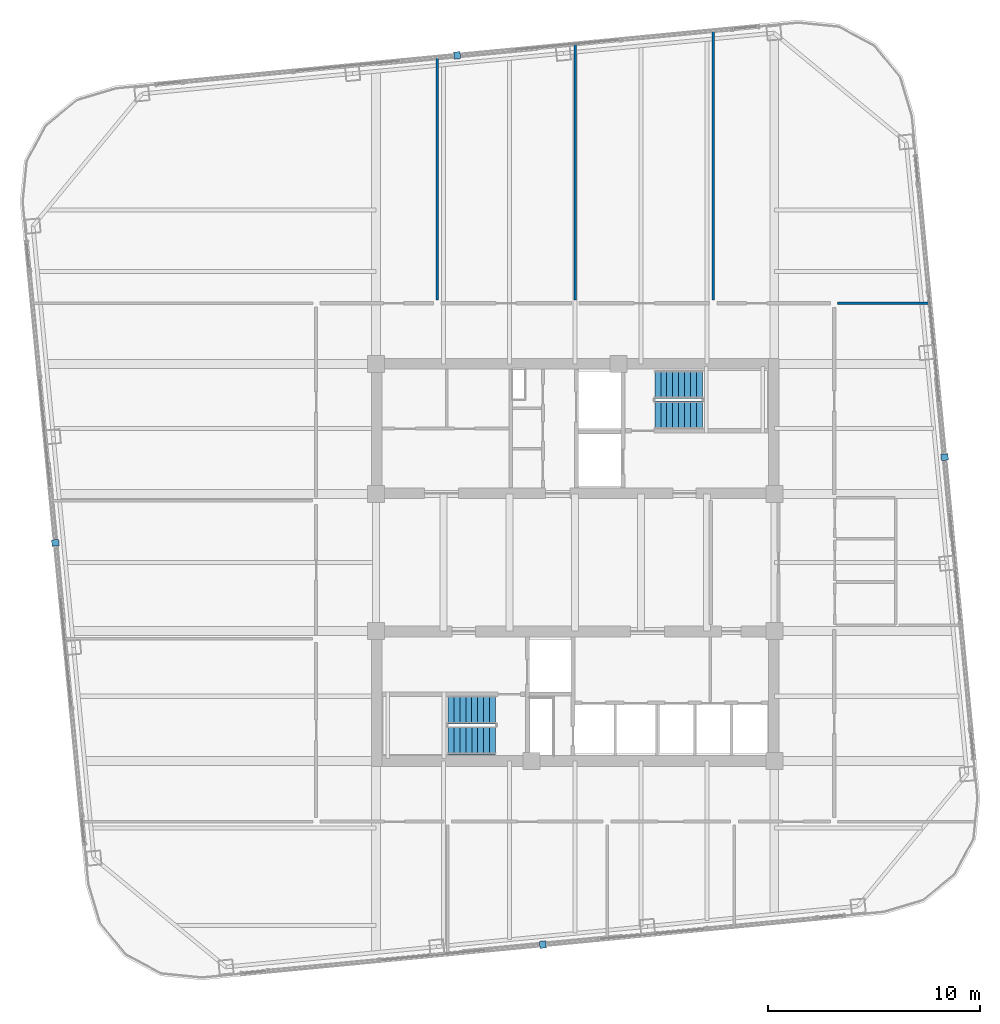
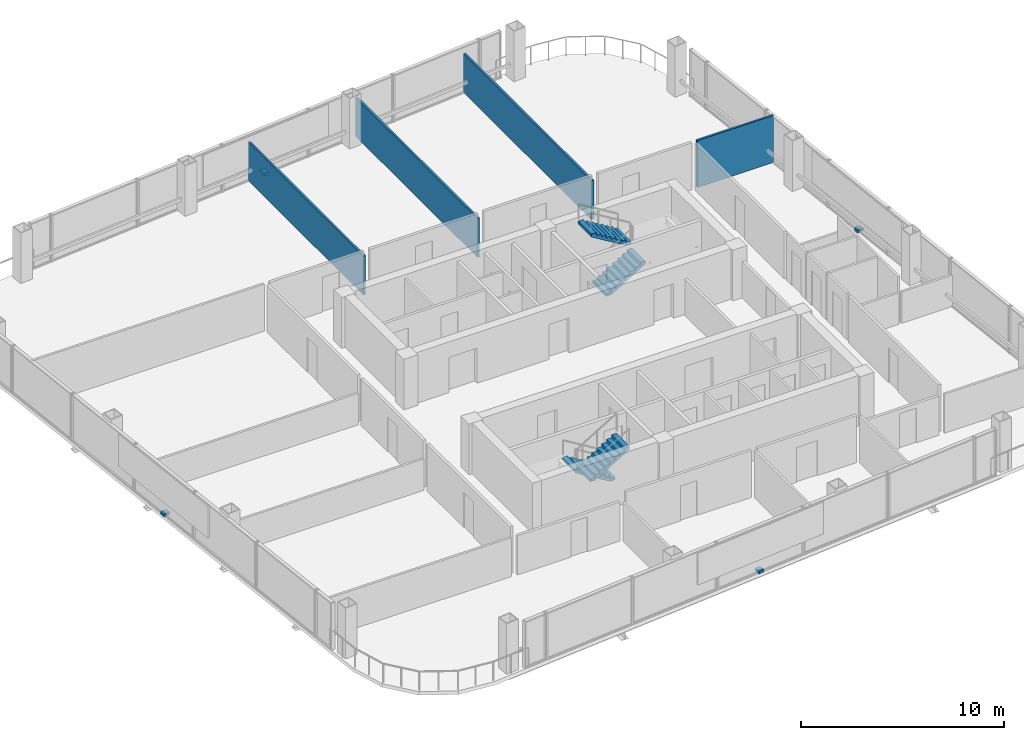
# One storey, part 26 of 29: 4 discrete accessories, 4 stair flights, 4 walls, 2 elements without a shape of their own.
"""IFC4 building model written with IfcOpenShell, lengths in metres."""

from ifc_helpers import new_model, si_unit, direction, frame, frame_2d, origin, origin_2d, place, context, subcontext, project, spatial, polyline, rectangle, outline, extrude, material, layer, layer_set, type_object, element, aggregate, save


model = new_model("IFC4")

# Units and contexts
model_context = context("Model", 3, precision=1e-05, world=origin(), true_north=direction((0.0, 1.0)))
body_context = subcontext(model_context, "Body", "Model", "MODEL_VIEW")
ifc_project = project(units=[si_unit("LENGTHUNIT", "METRE"), si_unit("AREAUNIT", "SQUARE_METRE"), si_unit("VOLUMEUNIT", "CUBIC_METRE"), si_unit("PLANEANGLEUNIT", "RADIAN"), si_unit("MASSUNIT", "GRAM", prefix="KILO")], contexts=[model_context])

# Site, building, storey
site_placement = place(None, origin())
site = spatial("IfcSite", under=ifc_project, at=site_placement, CompositionType="ELEMENT")
building_placement = place(site_placement, origin())
building = spatial("IfcBuilding", under=site, at=building_placement, Name="Qhalaya Broadcast Tower", CompositionType="ELEMENT")
storey_placement = place(building_placement, frame((0.0, 0.0, 177.5)))
storey = spatial("IfcBuildingStorey", under=building, at=storey_placement, Name="L52", CompositionType="ELEMENT", Elevation=177.5)

# Walls
ifc_material_1 = material(Name="Gypsum Acoustic Partition")
ifc_layer = layer(ifc_material_1, 0.1201171875, Name="Gypsum Acoustic Partition")
ifc_layer_set = layer_set([ifc_layer], Name="Gypsum Acoustic Partition")
wall_type = type_object("IfcWallType", Name="Office, Booth & Sanitary Partition 120", PredefinedType="PARTITIONING", material=ifc_layer_set)
wall_1_placement = place(storey_placement, frame((12.340087890625, 12.800048828125, 0.0), z_axis=(0.0, 0.0, 1.0), x_axis=(1.0, 0.0, 0.0)))
element("IfcWall", 1, at=wall_1_placement, inside=storey, type_object=wall_type, Name="L52 Partition Wall W-BNDE1", PredefinedType="PARTITIONING", context=body_context, shape_type="SweptSolid", body=[
    extrude(rectangle(XDim=4.35546875, YDim=0.1201171875, at=frame_2d((2.177734375, 0.0))), origin(), (0.0, 0.0, 1.0), 2.830078125),
])
wall_2_placement = place(storey_placement, frame((-6.5, 12.9599609375, 0.0), z_axis=(0.0, 0.0, 1.0), x_axis=(0.0, 1.0, 0.0)))
element("IfcWall", 2, at=wall_2_placement, inside=storey, type_object=wall_type, Name="L52 Partition Wall W-DIVN1", PredefinedType="PARTITIONING", context=body_context, shape_type="SweptSolid", body=[
    extrude(rectangle(XDim=11.422119140625, YDim=0.1201171875, at=frame_2d((5.7109375, 0.0))), origin(), (0.0, 0.0, 1.0), 2.346923828125),
])
wall_3_placement = place(storey_placement, frame((0.0, 12.9599609375, 0.0), z_axis=(0.0, 0.0, 1.0), x_axis=(0.0, 1.0, 0.0)))
element("IfcWall", 3, at=wall_3_placement, inside=storey, type_object=wall_type, Name="L52 Partition Wall W-DIVN2", PredefinedType="PARTITIONING", context=body_context, shape_type="SweptSolid", body=[
    extrude(rectangle(XDim=12.048095703125, YDim=0.1201171875, at=frame_2d((6.02392578125, 0.0))), origin(), (0.0, 0.0, 1.0), 2.346923828125),
])
wall_4_placement = place(storey_placement, frame((6.5, 12.9599609375, 0.0), z_axis=(0.0, 0.0, 1.0), x_axis=(0.0, 1.0, 0.0)))
element("IfcWall", 4, at=wall_4_placement, inside=storey, type_object=wall_type, Name="L52 Partition Wall W-DIVN3", PredefinedType="PARTITIONING", context=body_context, shape_type="SweptSolid", body=[
    extrude(rectangle(XDim=12.674072265625, YDim=0.1201171875, at=frame_2d((6.3369140625, 0.0))), origin(), (0.0, 0.0, 1.0), 2.346923828125),
])

# Stair, stair flights
ifc_material_2 = material(Name="Concrete C40/50", Category="concrete")
stair_type = type_object("IfcStairType", Name="Protected Dogleg Core Stair 3150", PredefinedType="TWO_STRAIGHT_RUN_STAIR", material=ifc_material_2)
stair_1_placement = place(storey_placement, origin())
stair_1 = element("IfcStair", 5, at=stair_1_placement, inside=storey, type_object=stair_type, Name="L52 North Core Exit Stair ST-1", PredefinedType="TWO_STRAIGHT_RUN_STAIR")
ifc_material_3 = material(Name="Precast Concrete C40/50", Category="concrete")
stair_flight_type = type_object("IfcStairFlightType", Name="Precast Concrete Stair Flight 3150", PredefinedType="STRAIGHT", material=ifc_material_3)
stair_flight_1_placement = place(storey_placement, frame((3.75, 7.5400390625, 0.0), z_axis=(0.0, 0.0, 1.0), x_axis=(1.0, 0.0, 0.0)))
stair_flight_1 = element("IfcStairFlight", 6, at=stair_flight_1_placement, type_object=stair_flight_type, Name="ST-1 flight 1", NumberOfRisers=9, NumberOfTreads=8, PredefinedType="STRAIGHT", RiserHeight=0.169444444, TreadLength=0.28, context=body_context, shape_type="SweptSolid", body=[
    extrude(outline(polyline([(0.0, 0.0), (0.0, 0.16943359375), (0.280029296875, 0.16943359375), (0.280029296875, 0.3388671875), (0.56005859375, 0.3388671875), (0.56005859375, 0.50830078125), (0.840087890625, 0.50830078125), (0.840087890625, 0.677734375), (1.1201171875, 0.677734375), (1.1201171875, 0.84716796875), (1.39990234375, 0.84716796875), (1.39990234375, 1.0166015625), (1.679931640625, 1.0166015625), (1.679931640625, 1.18603515625), (1.9599609375, 1.18603515625), (1.9599609375, 1.35546875), (2.239990234375, 1.35546875), (2.239990234375, 1.52490234375), (2.239990234375, 1.180419921875), (0.28955078125, 0.0), (0.0, 0.0)])), frame((0.0, 0.66015625, 0.0), z_axis=(0.0, -1.0, 0.0), x_axis=(1.0, 0.0, 0.0)), (0.0, 0.0, 1.0), 1.320068359375),
])
stair_flight_2_placement = place(storey_placement, frame((5.989990234375, 8.97998046875, 1.52490234375), z_axis=(0.0, 0.0, 1.0), x_axis=(-1.0, 0.0, 0.0)))
stair_flight_2 = element("IfcStairFlight", 7, at=stair_flight_2_placement, type_object=stair_flight_type, Name="ST-1 flight 2", NumberOfRisers=9, NumberOfTreads=8, PredefinedType="STRAIGHT", RiserHeight=0.169444444, TreadLength=0.28, context=body_context, shape_type="SweptSolid", body=[
    extrude(outline(polyline([(0.0, 0.0), (0.0, 0.16943359375), (0.280029296875, 0.16943359375), (0.280029296875, 0.3388671875), (0.56005859375, 0.3388671875), (0.56005859375, 0.50830078125), (0.840087890625, 0.50830078125), (0.840087890625, 0.677734375), (1.1201171875, 0.677734375), (1.1201171875, 0.84716796875), (1.39990234375, 0.84716796875), (1.39990234375, 1.0166015625), (1.679931640625, 1.0166015625), (1.679931640625, 1.18603515625), (1.9599609375, 1.18603515625), (1.9599609375, 1.35546875), (2.239990234375, 1.35546875), (2.239990234375, 1.52490234375), (2.239990234375, 1.180419921875), (0.28955078125, 0.0), (0.0, 0.0)])), frame((0.0, 0.66015625, 0.0), z_axis=(0.0, -1.0, 0.0), x_axis=(1.0, 0.0, 0.0)), (0.0, 0.0, 1.0), 1.320068359375),
])
aggregate(stair_1, [stair_flight_1, stair_flight_2])

stair_2_placement = place(storey_placement, origin())
stair_2 = element("IfcStair", 8, at=stair_2_placement, inside=storey, type_object=stair_type, Name="L52 South Core Exit Stair ST-2", PredefinedType="TWO_STRAIGHT_RUN_STAIR")
stair_flight_3_placement = place(storey_placement, frame((-3.75, -6.340087890625, 0.0), z_axis=(0.0, 0.0, 1.0), x_axis=(-1.0, 0.0, 0.0)))
stair_flight_3 = element("IfcStairFlight", 9, at=stair_flight_3_placement, type_object=stair_flight_type, Name="ST-2 flight 1", NumberOfRisers=9, NumberOfTreads=8, PredefinedType="STRAIGHT", RiserHeight=0.169444444, TreadLength=0.28, context=body_context, shape_type="SweptSolid", body=[
    extrude(outline(polyline([(0.0, 0.0), (0.0, 0.16943359375), (0.280029296875, 0.16943359375), (0.280029296875, 0.3388671875), (0.56005859375, 0.3388671875), (0.56005859375, 0.50830078125), (0.840087890625, 0.50830078125), (0.840087890625, 0.677734375), (1.1201171875, 0.677734375), (1.1201171875, 0.84716796875), (1.39990234375, 0.84716796875), (1.39990234375, 1.0166015625), (1.679931640625, 1.0166015625), (1.679931640625, 1.18603515625), (1.9599609375, 1.18603515625), (1.9599609375, 1.35546875), (2.239990234375, 1.35546875), (2.239990234375, 1.52490234375), (2.239990234375, 1.180419921875), (0.28955078125, 0.0), (0.0, 0.0)])), frame((0.0, 0.66015625, 0.0), z_axis=(0.0, -1.0, 0.0), x_axis=(1.0, 0.0, 0.0)), (0.0, 0.0, 1.0), 1.320068359375),
])
stair_flight_4_placement = place(storey_placement, frame((-5.989990234375, -7.780029296875, 1.52490234375), z_axis=(0.0, 0.0, 1.0), x_axis=(1.0, 0.0, 0.0)))
stair_flight_4 = element("IfcStairFlight", 10, at=stair_flight_4_placement, type_object=stair_flight_type, Name="ST-2 flight 2", NumberOfRisers=9, NumberOfTreads=8, PredefinedType="STRAIGHT", RiserHeight=0.169444444, TreadLength=0.28, context=body_context, shape_type="SweptSolid", body=[
    extrude(outline(polyline([(0.0, 0.0), (0.0, 0.16943359375), (0.280029296875, 0.16943359375), (0.280029296875, 0.3388671875), (0.56005859375, 0.3388671875), (0.56005859375, 0.50830078125), (0.840087890625, 0.50830078125), (0.840087890625, 0.677734375), (1.1201171875, 0.677734375), (1.1201171875, 0.84716796875), (1.39990234375, 0.84716796875), (1.39990234375, 1.0166015625), (1.679931640625, 1.0166015625), (1.679931640625, 1.18603515625), (1.9599609375, 1.18603515625), (1.9599609375, 1.35546875), (2.239990234375, 1.35546875), (2.239990234375, 1.52490234375), (2.239990234375, 1.180419921875), (0.28955078125, 0.0), (0.0, 0.0)])), frame((0.0, 0.66015625, 0.0), z_axis=(0.0, -1.0, 0.0), x_axis=(1.0, 0.0, 0.0)), (0.0, 0.0, 1.0), 1.320068359375),
])
aggregate(stair_2, [stair_flight_3, stair_flight_4])

# Discrete accessories
ifc_material_4 = material(Name="Structural Steel ASTM A572 Grade 50", Category="steel")
discrete_accessory_type = type_object("IfcDiscreteAccessoryType", Name="Facade Baguette Support Bracket BRK-01", PredefinedType="BRACKET", material=ifc_material_4)
for number, where, z_axis, x_axis, name in (
    (11, (-1.5244140625, -17.393310546875, 0.0), (0.0, 0.0, 1.0), (0.995396198367, 0.09584575252, 0.0), "L52 Baguette Support Bracket S"),
    (12, (17.393310546875, 5.5556640625, 0.0), (0.0, 0.0, 1.0), (-0.09584575252, 0.995396198367, 0.0), "L52 Baguette Support Bracket E"),
    (13, (-5.5556640625, 24.47314453125, 0.0), (0.0, 0.0, 1.0), (-0.995396198367, -0.09584575252, 0.0), "L52 Baguette Support Bracket N"),
    (14, (-24.47314453125, 1.5244140625, 0.0), (0.0, 0.0, 1.0), (0.09584575252, -0.995396198367, 0.0), "L52 Baguette Support Bracket W"),
):
    element("IfcDiscreteAccessory", number, at=place(storey_placement, frame(where, z_axis=z_axis, x_axis=x_axis)), inside=storey, type_object=discrete_accessory_type, Name=name, PredefinedType="BRACKET", context=body_context, shape_type="SweptSolid", body=[
        extrude(rectangle(XDim=0.300048828125, YDim=0.340087890625, at=origin_2d()), origin(), (0.0, 0.0, 1.0), 0.159912109375),
    ])

save(model, "model.ifc")
